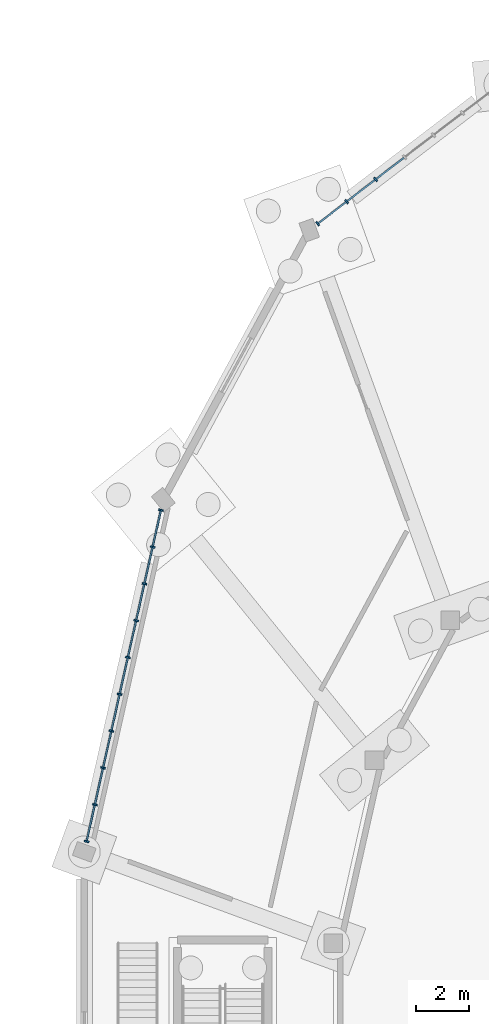
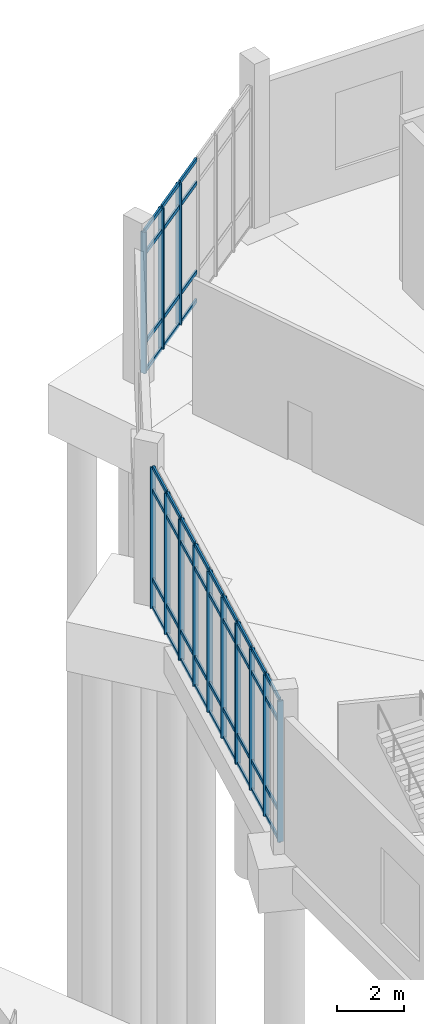
# One storey, part 48 of 140: 61 members, 2 elements without a shape of their own.
"""IFC4 building model written with IfcOpenShell, lengths in metres."""

from ifc_helpers import new_model, si_unit, direction, frame, origin, origin_2d, place, context, subcontext, project, spatial, rectangle, extrude, material, layer, layer_set, material_profile, profile_set, type_object, element, aggregate, save


model = new_model("IFC4")

# Units and contexts
model_context = context("Model", 3, precision=1e-05, world=origin(), true_north=direction((0.0, 1.0)))
body_context = subcontext(model_context, "Body", "Model", "MODEL_VIEW")
ifc_project = project(units=[si_unit("LENGTHUNIT", "METRE"), si_unit("AREAUNIT", "SQUARE_METRE"), si_unit("VOLUMEUNIT", "CUBIC_METRE"), si_unit("PLANEANGLEUNIT", "RADIAN"), si_unit("MASSUNIT", "GRAM", prefix="KILO")], contexts=[model_context])

# Site, building, storey
site_placement = place(None, origin())
site = spatial("IfcSite", under=ifc_project, at=site_placement, CompositionType="ELEMENT")
building_placement = place(site_placement, origin())
building = spatial("IfcBuilding", under=site, at=building_placement, Name="Corvandel Quay Wholesale Market", CompositionType="ELEMENT")
storey_placement = place(building_placement, origin())
storey = spatial("IfcBuildingStorey", under=building, at=storey_placement, Name="L00", CompositionType="ELEMENT", Elevation=0.0)

# Curtain wall, members
ifc_material_1 = material(Name="Bronze anodised aluminium and low-E insulated glazing", Category="aluminium")
ifc_layer_1 = layer(ifc_material_1, 0.162109375)
ifc_layer_set_1 = layer_set([ifc_layer_1], Name="Bronze anodised aluminium and low-E insulated glazing")
curtain_wall_type_1 = type_object("IfcCurtainWallType", Name="Stick Curtain Wall System CW06 H3540", PredefinedType="NOTDEFINED", material=ifc_layer_set_1)
curtain_wall_1_placement = place(storey_placement, origin())
curtain_wall_1 = element("IfcCurtainWall", 1, at=curtain_wall_1_placement, inside=storey, type_object=curtain_wall_type_1, Name="Curtain Wall CW-0133", PredefinedType="NOTDEFINED")
ifc_material_2 = material(Name="Anodised aluminium 6063-T6", Category="aluminium")
ifc_material_profile_1 = material_profile(ifc_material_2, rectangle(XDim=0.06494140625, YDim=0.179931640625, at=origin_2d()), Name="ALU-MUL-65x180")
ifc_profile_set_1 = profile_set([ifc_material_profile_1], Name="Anodised aluminium 6063-T6")
member_type_1 = type_object("IfcMemberType", Name="Curtain Wall Mullion ML01 65x180", PredefinedType="MULLION", material=ifc_profile_set_1)
member_1_placement = place(storey_placement, frame((185.948974609375, 92.427001953125, 0.0), z_axis=(0.0, 0.0, 1.0), x_axis=(0.794308601354, 0.607514481979, 0.0)))
member_1 = element("IfcMember", 2, at=member_1_placement, type_object=member_type_1, Name="Mullion CW-0133-M04", PredefinedType="MULLION", context=body_context, shape_type="SweptSolid", body=[
    extrude(rectangle(XDim=0.06494140625, YDim=0.179931640625, at=origin_2d()), origin(), (0.0, 0.0, 1.0), 5.14990234375),
])
member_2_placement = place(storey_placement, frame((184.8603515625, 91.594482421875, 0.0), z_axis=(0.0, 0.0, 1.0), x_axis=(0.794308601354, 0.607514481979, 0.0)))
member_2 = element("IfcMember", 3, at=member_2_placement, type_object=member_type_1, Name="Mullion CW-0133-M05", PredefinedType="MULLION", context=body_context, shape_type="SweptSolid", body=[
    extrude(rectangle(XDim=0.06494140625, YDim=0.179931640625, at=origin_2d()), origin(), (0.0, 0.0, 1.0), 5.14990234375),
])
member_3_placement = place(storey_placement, frame((183.771728515625, 90.761962890625, 0.0), z_axis=(0.0, 0.0, 1.0), x_axis=(0.794308601354, 0.607514481979, 0.0)))
member_3 = element("IfcMember", 4, at=member_3_placement, type_object=member_type_1, Name="Mullion CW-0133-M06", PredefinedType="MULLION", context=body_context, shape_type="SweptSolid", body=[
    extrude(rectangle(XDim=0.06494140625, YDim=0.179931640625, at=origin_2d()), origin(), (0.0, 0.0, 1.0), 5.14990234375),
])

ifc_layer_2 = layer(ifc_material_1, 0.18603515625)
ifc_layer_set_2 = layer_set([ifc_layer_2], Name="Bronze anodised aluminium and low-E insulated glazing")
curtain_wall_type_2 = type_object("IfcCurtainWallType", Name="Stick Curtain Wall System CW08 H3720", PredefinedType="NOTDEFINED", material=ifc_layer_set_2)
curtain_wall_2_placement = place(storey_placement, origin())
curtain_wall_2 = element("IfcCurtainWall", 5, at=curtain_wall_2_placement, inside=storey, type_object=curtain_wall_type_2, Name="Curtain Wall CW-0135", PredefinedType="NOTDEFINED")
member_4_placement = place(storey_placement, frame((177.88134765625, 80.001708984375, 0.0), z_axis=(0.0, 0.0, 1.0), x_axis=(0.218994806262, 0.975726024471, 0.0)))
member_4 = element("IfcMember", 6, at=member_4_placement, type_object=member_type_1, Name="Mullion CW-0135-M00", PredefinedType="MULLION", context=body_context, shape_type="SweptSolid", body=[
    extrude(rectangle(XDim=0.06494140625, YDim=0.179931640625, at=origin_2d()), origin(), (0.0, 0.0, 1.0), 5.14990234375),
])
member_5_placement = place(storey_placement, frame((177.571044921875, 78.618408203125, 0.0), z_axis=(0.0, 0.0, 1.0), x_axis=(0.218994806262, 0.975726024471, 0.0)))
member_5 = element("IfcMember", 7, at=member_5_placement, type_object=member_type_1, Name="Mullion CW-0135-M01", PredefinedType="MULLION", context=body_context, shape_type="SweptSolid", body=[
    extrude(rectangle(XDim=0.06494140625, YDim=0.179931640625, at=origin_2d()), origin(), (0.0, 0.0, 1.0), 5.14990234375),
])
member_6_placement = place(storey_placement, frame((177.260498046875, 77.23486328125, 0.0), z_axis=(0.0, 0.0, 1.0), x_axis=(0.218994806262, 0.975726024471, 0.0)))
member_6 = element("IfcMember", 8, at=member_6_placement, type_object=member_type_1, Name="Mullion CW-0135-M02", PredefinedType="MULLION", context=body_context, shape_type="SweptSolid", body=[
    extrude(rectangle(XDim=0.06494140625, YDim=0.179931640625, at=origin_2d()), origin(), (0.0, 0.0, 1.0), 5.14990234375),
])
member_7_placement = place(storey_placement, frame((176.9501953125, 75.8515625, 0.0), z_axis=(0.0, 0.0, 1.0), x_axis=(0.218994806262, 0.975726024471, 0.0)))
member_7 = element("IfcMember", 9, at=member_7_placement, type_object=member_type_1, Name="Mullion CW-0135-M03", PredefinedType="MULLION", context=body_context, shape_type="SweptSolid", body=[
    extrude(rectangle(XDim=0.06494140625, YDim=0.179931640625, at=origin_2d()), origin(), (0.0, 0.0, 1.0), 5.14990234375),
])
member_8_placement = place(storey_placement, frame((176.6396484375, 74.46826171875, 0.0), z_axis=(0.0, 0.0, 1.0), x_axis=(0.218994806262, 0.975726024471, 0.0)))
member_8 = element("IfcMember", 10, at=member_8_placement, type_object=member_type_1, Name="Mullion CW-0135-M04", PredefinedType="MULLION", context=body_context, shape_type="SweptSolid", body=[
    extrude(rectangle(XDim=0.06494140625, YDim=0.179931640625, at=origin_2d()), origin(), (0.0, 0.0, 1.0), 5.14990234375),
])
member_9_placement = place(storey_placement, frame((176.329345703125, 73.084716796875, 0.0), z_axis=(0.0, 0.0, 1.0), x_axis=(0.218994806262, 0.975726024471, 0.0)))
member_9 = element("IfcMember", 11, at=member_9_placement, type_object=member_type_1, Name="Mullion CW-0135-M05", PredefinedType="MULLION", context=body_context, shape_type="SweptSolid", body=[
    extrude(rectangle(XDim=0.06494140625, YDim=0.179931640625, at=origin_2d()), origin(), (0.0, 0.0, 1.0), 5.14990234375),
])
member_10_placement = place(storey_placement, frame((176.018798828125, 71.701416015625, 0.0), z_axis=(0.0, 0.0, 1.0), x_axis=(0.218994806262, 0.975726024471, 0.0)))
member_10 = element("IfcMember", 12, at=member_10_placement, type_object=member_type_1, Name="Mullion CW-0135-M06", PredefinedType="MULLION", context=body_context, shape_type="SweptSolid", body=[
    extrude(rectangle(XDim=0.06494140625, YDim=0.179931640625, at=origin_2d()), origin(), (0.0, 0.0, 1.0), 5.14990234375),
])
member_11_placement = place(storey_placement, frame((175.70849609375, 70.318115234375, 0.0), z_axis=(0.0, 0.0, 1.0), x_axis=(0.218994806262, 0.975726024471, 0.0)))
member_11 = element("IfcMember", 13, at=member_11_placement, type_object=member_type_1, Name="Mullion CW-0135-M07", PredefinedType="MULLION", context=body_context, shape_type="SweptSolid", body=[
    extrude(rectangle(XDim=0.06494140625, YDim=0.179931640625, at=origin_2d()), origin(), (0.0, 0.0, 1.0), 5.14990234375),
])
member_12_placement = place(storey_placement, frame((175.39794921875, 68.934814453125, 0.0), z_axis=(0.0, 0.0, 1.0), x_axis=(0.218994806262, 0.975726024471, 0.0)))
member_12 = element("IfcMember", 14, at=member_12_placement, type_object=member_type_1, Name="Mullion CW-0135-M08", PredefinedType="MULLION", context=body_context, shape_type="SweptSolid", body=[
    extrude(rectangle(XDim=0.06494140625, YDim=0.179931640625, at=origin_2d()), origin(), (0.0, 0.0, 1.0), 5.14990234375),
])
member_13_placement = place(storey_placement, frame((175.087646484375, 67.55126953125, 0.0), z_axis=(0.0, 0.0, 1.0), x_axis=(0.218994806262, 0.975726024471, 0.0)))
member_13 = element("IfcMember", 15, at=member_13_placement, type_object=member_type_1, Name="Mullion CW-0135-M09", PredefinedType="MULLION", context=body_context, shape_type="SweptSolid", body=[
    extrude(rectangle(XDim=0.06494140625, YDim=0.179931640625, at=origin_2d()), origin(), (0.0, 0.0, 1.0), 5.14990234375),
])

# Member
ifc_material_profile_2 = material_profile(ifc_material_2, rectangle(XDim=0.06494140625, YDim=0.139892578125, at=origin_2d()), Name="ALU-TRN-65x140")
ifc_profile_set_2 = profile_set([ifc_material_profile_2], Name="Anodised aluminium 6063-T6")
member_type_2 = type_object("IfcMemberType", Name="Curtain Wall Transom TR01 65x140", PredefinedType="USERDEFINED", material=ifc_profile_set_2)
member_14_placement = place(storey_placement, frame((187.01171875, 93.23974609375, 0.0), z_axis=(-0.794400295217, -0.607394576004, 0.0), x_axis=(0.607394576004, -0.794400295217, 0.0)))
member_14 = element("IfcMember", 16, at=member_14_placement, type_object=member_type_2, Name="Transom CW-0133-T03-0", ObjectType="TRANSOM", PredefinedType="USERDEFINED", context=body_context, shape_type="SweptSolid", body=[
    extrude(rectangle(XDim=0.06494140625, YDim=0.139892578125, at=origin_2d()), origin(), (0.0, 0.0, 1.0), 1.305419921875),
])

member_15_placement = place(storey_placement, frame((187.01171875, 93.23974609375, 1.050048828125), z_axis=(-0.794400295217, -0.607394576004, 0.0), x_axis=(0.607394576004, -0.794400295217, 0.0)))
member_15 = element("IfcMember", 17, at=member_15_placement, type_object=member_type_2, Name="Transom CW-0133-T03-1", ObjectType="TRANSOM", PredefinedType="USERDEFINED", context=body_context, shape_type="SweptSolid", body=[
    extrude(rectangle(XDim=0.06494140625, YDim=0.139892578125, at=origin_2d()), origin(), (0.0, 0.0, 1.0), 1.305419921875),
])

member_16_placement = place(storey_placement, frame((187.01171875, 93.23974609375, 4.300048828125), z_axis=(-0.794400295217, -0.607394576004, 0.0), x_axis=(0.607394576004, -0.794400295217, 0.0)))
member_16 = element("IfcMember", 18, at=member_16_placement, type_object=member_type_2, Name="Transom CW-0133-T03-2", ObjectType="TRANSOM", PredefinedType="USERDEFINED", context=body_context, shape_type="SweptSolid", body=[
    extrude(rectangle(XDim=0.06494140625, YDim=0.139892578125, at=origin_2d()), origin(), (0.0, 0.0, 1.0), 1.305419921875),
])

member_17_placement = place(storey_placement, frame((187.01171875, 93.23974609375, 5.14990234375), z_axis=(-0.794400295217, -0.607394576004, 0.0), x_axis=(0.607394576004, -0.794400295217, 0.0)))
member_17 = element("IfcMember", 19, at=member_17_placement, type_object=member_type_2, Name="Transom CW-0133-T03-3", ObjectType="TRANSOM", PredefinedType="USERDEFINED", context=body_context, shape_type="SweptSolid", body=[
    extrude(rectangle(XDim=0.06494140625, YDim=0.139892578125, at=origin_2d()), origin(), (0.0, 0.0, 1.0), 1.305419921875),
])

member_18_placement = place(storey_placement, frame((185.923095703125, 92.4072265625, 0.0), z_axis=(-0.794331288163, -0.607484818449, 0.0), x_axis=(0.607484818449, -0.794331288163, 0.0)))
member_18 = element("IfcMember", 20, at=member_18_placement, type_object=member_type_2, Name="Transom CW-0133-T04-0", ObjectType="TRANSOM", PredefinedType="USERDEFINED", context=body_context, shape_type="SweptSolid", body=[
    extrude(rectangle(XDim=0.06494140625, YDim=0.139892578125, at=origin_2d()), origin(), (0.0, 0.0, 1.0), 1.305419921875),
])

member_19_placement = place(storey_placement, frame((185.923095703125, 92.4072265625, 1.050048828125), z_axis=(-0.794331288163, -0.607484818449, 0.0), x_axis=(0.607484818449, -0.794331288163, 0.0)))
member_19 = element("IfcMember", 21, at=member_19_placement, type_object=member_type_2, Name="Transom CW-0133-T04-1", ObjectType="TRANSOM", PredefinedType="USERDEFINED", context=body_context, shape_type="SweptSolid", body=[
    extrude(rectangle(XDim=0.06494140625, YDim=0.139892578125, at=origin_2d()), origin(), (0.0, 0.0, 1.0), 1.305419921875),
])

member_20_placement = place(storey_placement, frame((185.923095703125, 92.4072265625, 4.300048828125), z_axis=(-0.794331288163, -0.607484818449, 0.0), x_axis=(0.607484818449, -0.794331288163, 0.0)))
member_20 = element("IfcMember", 22, at=member_20_placement, type_object=member_type_2, Name="Transom CW-0133-T04-2", ObjectType="TRANSOM", PredefinedType="USERDEFINED", context=body_context, shape_type="SweptSolid", body=[
    extrude(rectangle(XDim=0.06494140625, YDim=0.139892578125, at=origin_2d()), origin(), (0.0, 0.0, 1.0), 1.305419921875),
])

member_21_placement = place(storey_placement, frame((185.923095703125, 92.4072265625, 5.14990234375), z_axis=(-0.794331288163, -0.607484818449, 0.0), x_axis=(0.607484818449, -0.794331288163, 0.0)))
member_21 = element("IfcMember", 23, at=member_21_placement, type_object=member_type_2, Name="Transom CW-0133-T04-3", ObjectType="TRANSOM", PredefinedType="USERDEFINED", context=body_context, shape_type="SweptSolid", body=[
    extrude(rectangle(XDim=0.06494140625, YDim=0.139892578125, at=origin_2d()), origin(), (0.0, 0.0, 1.0), 1.305419921875),
])

member_22_placement = place(storey_placement, frame((184.834716796875, 91.57470703125, 0.0), z_axis=(-0.794310063744, -0.60751256994, 0.0), x_axis=(0.60751256994, -0.794310063744, 0.0)))
member_22 = element("IfcMember", 24, at=member_22_placement, type_object=member_type_2, Name="Transom CW-0133-T05-0", ObjectType="TRANSOM", PredefinedType="USERDEFINED", context=body_context, shape_type="SweptSolid", body=[
    extrude(rectangle(XDim=0.06494140625, YDim=0.139892578125, at=origin_2d()), origin(), (0.0, 0.0, 1.0), 1.3056640625),
])

member_23_placement = place(storey_placement, frame((184.834716796875, 91.57470703125, 1.050048828125), z_axis=(-0.794310063744, -0.60751256994, 0.0), x_axis=(0.60751256994, -0.794310063744, 0.0)))
member_23 = element("IfcMember", 25, at=member_23_placement, type_object=member_type_2, Name="Transom CW-0133-T05-1", ObjectType="TRANSOM", PredefinedType="USERDEFINED", context=body_context, shape_type="SweptSolid", body=[
    extrude(rectangle(XDim=0.06494140625, YDim=0.139892578125, at=origin_2d()), origin(), (0.0, 0.0, 1.0), 1.3056640625),
])

member_24_placement = place(storey_placement, frame((184.834716796875, 91.57470703125, 4.300048828125), z_axis=(-0.794310063744, -0.60751256994, 0.0), x_axis=(0.60751256994, -0.794310063744, 0.0)))
member_24 = element("IfcMember", 26, at=member_24_placement, type_object=member_type_2, Name="Transom CW-0133-T05-2", ObjectType="TRANSOM", PredefinedType="USERDEFINED", context=body_context, shape_type="SweptSolid", body=[
    extrude(rectangle(XDim=0.06494140625, YDim=0.139892578125, at=origin_2d()), origin(), (0.0, 0.0, 1.0), 1.3056640625),
])

member_25_placement = place(storey_placement, frame((184.834716796875, 91.57470703125, 5.14990234375), z_axis=(-0.794310063744, -0.60751256994, 0.0), x_axis=(0.60751256994, -0.794310063744, 0.0)))
member_25 = element("IfcMember", 27, at=member_25_placement, type_object=member_type_2, Name="Transom CW-0133-T05-3", ObjectType="TRANSOM", PredefinedType="USERDEFINED", context=body_context, shape_type="SweptSolid", body=[
    extrude(rectangle(XDim=0.06494140625, YDim=0.139892578125, at=origin_2d()), origin(), (0.0, 0.0, 1.0), 1.3056640625),
])

aggregate(curtain_wall_1, [member_1, member_2, member_3, member_14, member_15, member_16, member_17, member_18, member_19, member_20, member_21, member_22, member_23, member_24, member_25])

member_26_placement = place(storey_placement, frame((177.874267578125, 79.969970703125, 0.0), z_axis=(-0.2188980935, -0.975747725932, 0.0), x_axis=(0.975747725932, -0.2188980935, 0.0)))
member_26 = element("IfcMember", 28, at=member_26_placement, type_object=member_type_2, Name="Transom CW-0135-T00-0", ObjectType="TRANSOM", PredefinedType="USERDEFINED", context=body_context, shape_type="SweptSolid", body=[
    extrude(rectangle(XDim=0.06494140625, YDim=0.139892578125, at=origin_2d()), origin(), (0.0, 0.0, 1.0), 1.352783203125),
])

member_27_placement = place(storey_placement, frame((177.874267578125, 79.969970703125, 1.050048828125), z_axis=(-0.2188980935, -0.975747725932, 0.0), x_axis=(0.975747725932, -0.2188980935, 0.0)))
member_27 = element("IfcMember", 29, at=member_27_placement, type_object=member_type_2, Name="Transom CW-0135-T00-1", ObjectType="TRANSOM", PredefinedType="USERDEFINED", context=body_context, shape_type="SweptSolid", body=[
    extrude(rectangle(XDim=0.06494140625, YDim=0.139892578125, at=origin_2d()), origin(), (0.0, 0.0, 1.0), 1.352783203125),
])

member_28_placement = place(storey_placement, frame((177.874267578125, 79.969970703125, 4.300048828125), z_axis=(-0.2188980935, -0.975747725932, 0.0), x_axis=(0.975747725932, -0.2188980935, 0.0)))
member_28 = element("IfcMember", 30, at=member_28_placement, type_object=member_type_2, Name="Transom CW-0135-T00-2", ObjectType="TRANSOM", PredefinedType="USERDEFINED", context=body_context, shape_type="SweptSolid", body=[
    extrude(rectangle(XDim=0.06494140625, YDim=0.139892578125, at=origin_2d()), origin(), (0.0, 0.0, 1.0), 1.352783203125),
])

member_29_placement = place(storey_placement, frame((177.874267578125, 79.969970703125, 5.14990234375), z_axis=(-0.2188980935, -0.975747725932, 0.0), x_axis=(0.975747725932, -0.2188980935, 0.0)))
member_29 = element("IfcMember", 31, at=member_29_placement, type_object=member_type_2, Name="Transom CW-0135-T00-3", ObjectType="TRANSOM", PredefinedType="USERDEFINED", context=body_context, shape_type="SweptSolid", body=[
    extrude(rectangle(XDim=0.06494140625, YDim=0.139892578125, at=origin_2d()), origin(), (0.0, 0.0, 1.0), 1.352783203125),
])

member_30_placement = place(storey_placement, frame((177.56396484375, 78.586669921875, 0.0), z_axis=(-0.219069896418, -0.975709167982, 0.0), x_axis=(0.975709167982, -0.219069896418, 0.0)))
member_30 = element("IfcMember", 32, at=member_30_placement, type_object=member_type_2, Name="Transom CW-0135-T01-0", ObjectType="TRANSOM", PredefinedType="USERDEFINED", context=body_context, shape_type="SweptSolid", body=[
    extrude(rectangle(XDim=0.06494140625, YDim=0.139892578125, at=origin_2d()), origin(), (0.0, 0.0, 1.0), 1.35302734375),
])

member_31_placement = place(storey_placement, frame((177.56396484375, 78.586669921875, 1.050048828125), z_axis=(-0.219069896418, -0.975709167982, 0.0), x_axis=(0.975709167982, -0.219069896418, 0.0)))
member_31 = element("IfcMember", 33, at=member_31_placement, type_object=member_type_2, Name="Transom CW-0135-T01-1", ObjectType="TRANSOM", PredefinedType="USERDEFINED", context=body_context, shape_type="SweptSolid", body=[
    extrude(rectangle(XDim=0.06494140625, YDim=0.139892578125, at=origin_2d()), origin(), (0.0, 0.0, 1.0), 1.35302734375),
])

member_32_placement = place(storey_placement, frame((177.56396484375, 78.586669921875, 4.300048828125), z_axis=(-0.219069896418, -0.975709167982, 0.0), x_axis=(0.975709167982, -0.219069896418, 0.0)))
member_32 = element("IfcMember", 34, at=member_32_placement, type_object=member_type_2, Name="Transom CW-0135-T01-2", ObjectType="TRANSOM", PredefinedType="USERDEFINED", context=body_context, shape_type="SweptSolid", body=[
    extrude(rectangle(XDim=0.06494140625, YDim=0.139892578125, at=origin_2d()), origin(), (0.0, 0.0, 1.0), 1.35302734375),
])

member_33_placement = place(storey_placement, frame((177.56396484375, 78.586669921875, 5.14990234375), z_axis=(-0.219069896418, -0.975709167982, 0.0), x_axis=(0.975709167982, -0.219069896418, 0.0)))
member_33 = element("IfcMember", 35, at=member_33_placement, type_object=member_type_2, Name="Transom CW-0135-T01-3", ObjectType="TRANSOM", PredefinedType="USERDEFINED", context=body_context, shape_type="SweptSolid", body=[
    extrude(rectangle(XDim=0.06494140625, YDim=0.139892578125, at=origin_2d()), origin(), (0.0, 0.0, 1.0), 1.35302734375),
])

member_34_placement = place(storey_placement, frame((177.25341796875, 77.203125, 0.0), z_axis=(-0.218936644466, -0.975739076654, 0.0), x_axis=(0.975739076654, -0.218936644466, 0.0)))
member_34 = element("IfcMember", 36, at=member_34_placement, type_object=member_type_2, Name="Transom CW-0135-T02-0", ObjectType="TRANSOM", PredefinedType="USERDEFINED", context=body_context, shape_type="SweptSolid", body=[
    extrude(rectangle(XDim=0.06494140625, YDim=0.139892578125, at=origin_2d()), origin(), (0.0, 0.0, 1.0), 1.3525390625),
])

member_35_placement = place(storey_placement, frame((177.25341796875, 77.203125, 1.050048828125), z_axis=(-0.218936644466, -0.975739076654, 0.0), x_axis=(0.975739076654, -0.218936644466, 0.0)))
member_35 = element("IfcMember", 37, at=member_35_placement, type_object=member_type_2, Name="Transom CW-0135-T02-1", ObjectType="TRANSOM", PredefinedType="USERDEFINED", context=body_context, shape_type="SweptSolid", body=[
    extrude(rectangle(XDim=0.06494140625, YDim=0.139892578125, at=origin_2d()), origin(), (0.0, 0.0, 1.0), 1.3525390625),
])

member_36_placement = place(storey_placement, frame((177.25341796875, 77.203125, 4.300048828125), z_axis=(-0.218936644466, -0.975739076654, 0.0), x_axis=(0.975739076654, -0.218936644466, 0.0)))
member_36 = element("IfcMember", 38, at=member_36_placement, type_object=member_type_2, Name="Transom CW-0135-T02-2", ObjectType="TRANSOM", PredefinedType="USERDEFINED", context=body_context, shape_type="SweptSolid", body=[
    extrude(rectangle(XDim=0.06494140625, YDim=0.139892578125, at=origin_2d()), origin(), (0.0, 0.0, 1.0), 1.3525390625),
])

member_37_placement = place(storey_placement, frame((177.25341796875, 77.203125, 5.14990234375), z_axis=(-0.218936644466, -0.975739076654, 0.0), x_axis=(0.975739076654, -0.218936644466, 0.0)))
member_37 = element("IfcMember", 39, at=member_37_placement, type_object=member_type_2, Name="Transom CW-0135-T02-3", ObjectType="TRANSOM", PredefinedType="USERDEFINED", context=body_context, shape_type="SweptSolid", body=[
    extrude(rectangle(XDim=0.06494140625, YDim=0.139892578125, at=origin_2d()), origin(), (0.0, 0.0, 1.0), 1.3525390625),
])

member_38_placement = place(storey_placement, frame((176.943115234375, 75.81982421875, 0.0), z_axis=(-0.21910847459, -0.975700505464, 0.0), x_axis=(0.975700505464, -0.21910847459, 0.0)))
member_38 = element("IfcMember", 40, at=member_38_placement, type_object=member_type_2, Name="Transom CW-0135-T03-0", ObjectType="TRANSOM", PredefinedType="USERDEFINED", context=body_context, shape_type="SweptSolid", body=[
    extrude(rectangle(XDim=0.06494140625, YDim=0.139892578125, at=origin_2d()), origin(), (0.0, 0.0, 1.0), 1.352783203125),
])

member_39_placement = place(storey_placement, frame((176.943115234375, 75.81982421875, 1.050048828125), z_axis=(-0.21910847459, -0.975700505464, 0.0), x_axis=(0.975700505464, -0.21910847459, 0.0)))
member_39 = element("IfcMember", 41, at=member_39_placement, type_object=member_type_2, Name="Transom CW-0135-T03-1", ObjectType="TRANSOM", PredefinedType="USERDEFINED", context=body_context, shape_type="SweptSolid", body=[
    extrude(rectangle(XDim=0.06494140625, YDim=0.139892578125, at=origin_2d()), origin(), (0.0, 0.0, 1.0), 1.352783203125),
])

member_40_placement = place(storey_placement, frame((176.943115234375, 75.81982421875, 4.300048828125), z_axis=(-0.21910847459, -0.975700505464, 0.0), x_axis=(0.975700505464, -0.21910847459, 0.0)))
member_40 = element("IfcMember", 42, at=member_40_placement, type_object=member_type_2, Name="Transom CW-0135-T03-2", ObjectType="TRANSOM", PredefinedType="USERDEFINED", context=body_context, shape_type="SweptSolid", body=[
    extrude(rectangle(XDim=0.06494140625, YDim=0.139892578125, at=origin_2d()), origin(), (0.0, 0.0, 1.0), 1.352783203125),
])

member_41_placement = place(storey_placement, frame((176.943115234375, 75.81982421875, 5.14990234375), z_axis=(-0.21910847459, -0.975700505464, 0.0), x_axis=(0.975700505464, -0.21910847459, 0.0)))
member_41 = element("IfcMember", 43, at=member_41_placement, type_object=member_type_2, Name="Transom CW-0135-T03-3", ObjectType="TRANSOM", PredefinedType="USERDEFINED", context=body_context, shape_type="SweptSolid", body=[
    extrude(rectangle(XDim=0.06494140625, YDim=0.139892578125, at=origin_2d()), origin(), (0.0, 0.0, 1.0), 1.352783203125),
])

member_42_placement = place(storey_placement, frame((176.632568359375, 74.4365234375, 0.0), z_axis=(-0.2188980935, -0.975747725932, 0.0), x_axis=(0.975747725932, -0.2188980935, 0.0)))
member_42 = element("IfcMember", 44, at=member_42_placement, type_object=member_type_2, Name="Transom CW-0135-T04-0", ObjectType="TRANSOM", PredefinedType="USERDEFINED", context=body_context, shape_type="SweptSolid", body=[
    extrude(rectangle(XDim=0.06494140625, YDim=0.139892578125, at=origin_2d()), origin(), (0.0, 0.0, 1.0), 1.352783203125),
])

member_43_placement = place(storey_placement, frame((176.632568359375, 74.4365234375, 1.050048828125), z_axis=(-0.2188980935, -0.975747725932, 0.0), x_axis=(0.975747725932, -0.2188980935, 0.0)))
member_43 = element("IfcMember", 45, at=member_43_placement, type_object=member_type_2, Name="Transom CW-0135-T04-1", ObjectType="TRANSOM", PredefinedType="USERDEFINED", context=body_context, shape_type="SweptSolid", body=[
    extrude(rectangle(XDim=0.06494140625, YDim=0.139892578125, at=origin_2d()), origin(), (0.0, 0.0, 1.0), 1.352783203125),
])

member_44_placement = place(storey_placement, frame((176.632568359375, 74.4365234375, 4.300048828125), z_axis=(-0.2188980935, -0.975747725932, 0.0), x_axis=(0.975747725932, -0.2188980935, 0.0)))
member_44 = element("IfcMember", 46, at=member_44_placement, type_object=member_type_2, Name="Transom CW-0135-T04-2", ObjectType="TRANSOM", PredefinedType="USERDEFINED", context=body_context, shape_type="SweptSolid", body=[
    extrude(rectangle(XDim=0.06494140625, YDim=0.139892578125, at=origin_2d()), origin(), (0.0, 0.0, 1.0), 1.352783203125),
])

member_45_placement = place(storey_placement, frame((176.632568359375, 74.4365234375, 5.14990234375), z_axis=(-0.2188980935, -0.975747725932, 0.0), x_axis=(0.975747725932, -0.2188980935, 0.0)))
member_45 = element("IfcMember", 47, at=member_45_placement, type_object=member_type_2, Name="Transom CW-0135-T04-3", ObjectType="TRANSOM", PredefinedType="USERDEFINED", context=body_context, shape_type="SweptSolid", body=[
    extrude(rectangle(XDim=0.06494140625, YDim=0.139892578125, at=origin_2d()), origin(), (0.0, 0.0, 1.0), 1.352783203125),
])

member_46_placement = place(storey_placement, frame((176.322265625, 73.052978515625, 0.0), z_axis=(-0.21910847459, -0.975700505464, 0.0), x_axis=(0.975700505464, -0.21910847459, 0.0)))
member_46 = element("IfcMember", 48, at=member_46_placement, type_object=member_type_2, Name="Transom CW-0135-T05-0", ObjectType="TRANSOM", PredefinedType="USERDEFINED", context=body_context, shape_type="SweptSolid", body=[
    extrude(rectangle(XDim=0.06494140625, YDim=0.139892578125, at=origin_2d()), origin(), (0.0, 0.0, 1.0), 1.352783203125),
])

member_47_placement = place(storey_placement, frame((176.322265625, 73.052978515625, 1.050048828125), z_axis=(-0.21910847459, -0.975700505464, 0.0), x_axis=(0.975700505464, -0.21910847459, 0.0)))
member_47 = element("IfcMember", 49, at=member_47_placement, type_object=member_type_2, Name="Transom CW-0135-T05-1", ObjectType="TRANSOM", PredefinedType="USERDEFINED", context=body_context, shape_type="SweptSolid", body=[
    extrude(rectangle(XDim=0.06494140625, YDim=0.139892578125, at=origin_2d()), origin(), (0.0, 0.0, 1.0), 1.352783203125),
])

member_48_placement = place(storey_placement, frame((176.322265625, 73.052978515625, 4.300048828125), z_axis=(-0.21910847459, -0.975700505464, 0.0), x_axis=(0.975700505464, -0.21910847459, 0.0)))
member_48 = element("IfcMember", 50, at=member_48_placement, type_object=member_type_2, Name="Transom CW-0135-T05-2", ObjectType="TRANSOM", PredefinedType="USERDEFINED", context=body_context, shape_type="SweptSolid", body=[
    extrude(rectangle(XDim=0.06494140625, YDim=0.139892578125, at=origin_2d()), origin(), (0.0, 0.0, 1.0), 1.352783203125),
])

member_49_placement = place(storey_placement, frame((176.322265625, 73.052978515625, 5.14990234375), z_axis=(-0.21910847459, -0.975700505464, 0.0), x_axis=(0.975700505464, -0.21910847459, 0.0)))
member_49 = element("IfcMember", 51, at=member_49_placement, type_object=member_type_2, Name="Transom CW-0135-T05-3", ObjectType="TRANSOM", PredefinedType="USERDEFINED", context=body_context, shape_type="SweptSolid", body=[
    extrude(rectangle(XDim=0.06494140625, YDim=0.139892578125, at=origin_2d()), origin(), (0.0, 0.0, 1.0), 1.352783203125),
])

member_50_placement = place(storey_placement, frame((176.01171875, 71.669677734375, 0.0), z_axis=(-0.218936644466, -0.975739076654, 0.0), x_axis=(0.975739076654, -0.218936644466, 0.0)))
member_50 = element("IfcMember", 52, at=member_50_placement, type_object=member_type_2, Name="Transom CW-0135-T06-0", ObjectType="TRANSOM", PredefinedType="USERDEFINED", context=body_context, shape_type="SweptSolid", body=[
    extrude(rectangle(XDim=0.06494140625, YDim=0.139892578125, at=origin_2d()), origin(), (0.0, 0.0, 1.0), 1.3525390625),
])

member_51_placement = place(storey_placement, frame((176.01171875, 71.669677734375, 1.050048828125), z_axis=(-0.218936644466, -0.975739076654, 0.0), x_axis=(0.975739076654, -0.218936644466, 0.0)))
member_51 = element("IfcMember", 53, at=member_51_placement, type_object=member_type_2, Name="Transom CW-0135-T06-1", ObjectType="TRANSOM", PredefinedType="USERDEFINED", context=body_context, shape_type="SweptSolid", body=[
    extrude(rectangle(XDim=0.06494140625, YDim=0.139892578125, at=origin_2d()), origin(), (0.0, 0.0, 1.0), 1.3525390625),
])

member_52_placement = place(storey_placement, frame((176.01171875, 71.669677734375, 4.300048828125), z_axis=(-0.218936644466, -0.975739076654, 0.0), x_axis=(0.975739076654, -0.218936644466, 0.0)))
member_52 = element("IfcMember", 54, at=member_52_placement, type_object=member_type_2, Name="Transom CW-0135-T06-2", ObjectType="TRANSOM", PredefinedType="USERDEFINED", context=body_context, shape_type="SweptSolid", body=[
    extrude(rectangle(XDim=0.06494140625, YDim=0.139892578125, at=origin_2d()), origin(), (0.0, 0.0, 1.0), 1.3525390625),
])

member_53_placement = place(storey_placement, frame((176.01171875, 71.669677734375, 5.14990234375), z_axis=(-0.218936644466, -0.975739076654, 0.0), x_axis=(0.975739076654, -0.218936644466, 0.0)))
member_53 = element("IfcMember", 55, at=member_53_placement, type_object=member_type_2, Name="Transom CW-0135-T06-3", ObjectType="TRANSOM", PredefinedType="USERDEFINED", context=body_context, shape_type="SweptSolid", body=[
    extrude(rectangle(XDim=0.06494140625, YDim=0.139892578125, at=origin_2d()), origin(), (0.0, 0.0, 1.0), 1.3525390625),
])

member_54_placement = place(storey_placement, frame((175.701416015625, 70.286376953125, 0.0), z_axis=(-0.219069896418, -0.975709167982, 0.0), x_axis=(0.975709167982, -0.219069896418, 0.0)))
member_54 = element("IfcMember", 56, at=member_54_placement, type_object=member_type_2, Name="Transom CW-0135-T07-0", ObjectType="TRANSOM", PredefinedType="USERDEFINED", context=body_context, shape_type="SweptSolid", body=[
    extrude(rectangle(XDim=0.06494140625, YDim=0.139892578125, at=origin_2d()), origin(), (0.0, 0.0, 1.0), 1.35302734375),
])

member_55_placement = place(storey_placement, frame((175.701416015625, 70.286376953125, 1.050048828125), z_axis=(-0.219069896418, -0.975709167982, 0.0), x_axis=(0.975709167982, -0.219069896418, 0.0)))
member_55 = element("IfcMember", 57, at=member_55_placement, type_object=member_type_2, Name="Transom CW-0135-T07-1", ObjectType="TRANSOM", PredefinedType="USERDEFINED", context=body_context, shape_type="SweptSolid", body=[
    extrude(rectangle(XDim=0.06494140625, YDim=0.139892578125, at=origin_2d()), origin(), (0.0, 0.0, 1.0), 1.35302734375),
])

member_56_placement = place(storey_placement, frame((175.701416015625, 70.286376953125, 4.300048828125), z_axis=(-0.219069896418, -0.975709167982, 0.0), x_axis=(0.975709167982, -0.219069896418, 0.0)))
member_56 = element("IfcMember", 58, at=member_56_placement, type_object=member_type_2, Name="Transom CW-0135-T07-2", ObjectType="TRANSOM", PredefinedType="USERDEFINED", context=body_context, shape_type="SweptSolid", body=[
    extrude(rectangle(XDim=0.06494140625, YDim=0.139892578125, at=origin_2d()), origin(), (0.0, 0.0, 1.0), 1.35302734375),
])

member_57_placement = place(storey_placement, frame((175.701416015625, 70.286376953125, 5.14990234375), z_axis=(-0.219069896418, -0.975709167982, 0.0), x_axis=(0.975709167982, -0.219069896418, 0.0)))
member_57 = element("IfcMember", 59, at=member_57_placement, type_object=member_type_2, Name="Transom CW-0135-T07-3", ObjectType="TRANSOM", PredefinedType="USERDEFINED", context=body_context, shape_type="SweptSolid", body=[
    extrude(rectangle(XDim=0.06494140625, YDim=0.139892578125, at=origin_2d()), origin(), (0.0, 0.0, 1.0), 1.35302734375),
])

member_58_placement = place(storey_placement, frame((175.390869140625, 68.903076171875, 0.0), z_axis=(-0.2188980935, -0.975747725932, 0.0), x_axis=(0.975747725932, -0.2188980935, 0.0)))
member_58 = element("IfcMember", 60, at=member_58_placement, type_object=member_type_2, Name="Transom CW-0135-T08-0", ObjectType="TRANSOM", PredefinedType="USERDEFINED", context=body_context, shape_type="SweptSolid", body=[
    extrude(rectangle(XDim=0.06494140625, YDim=0.139892578125, at=origin_2d()), origin(), (0.0, 0.0, 1.0), 1.352783203125),
])

member_59_placement = place(storey_placement, frame((175.390869140625, 68.903076171875, 1.050048828125), z_axis=(-0.2188980935, -0.975747725932, 0.0), x_axis=(0.975747725932, -0.2188980935, 0.0)))
member_59 = element("IfcMember", 61, at=member_59_placement, type_object=member_type_2, Name="Transom CW-0135-T08-1", ObjectType="TRANSOM", PredefinedType="USERDEFINED", context=body_context, shape_type="SweptSolid", body=[
    extrude(rectangle(XDim=0.06494140625, YDim=0.139892578125, at=origin_2d()), origin(), (0.0, 0.0, 1.0), 1.352783203125),
])

member_60_placement = place(storey_placement, frame((175.390869140625, 68.903076171875, 4.300048828125), z_axis=(-0.2188980935, -0.975747725932, 0.0), x_axis=(0.975747725932, -0.2188980935, 0.0)))
member_60 = element("IfcMember", 62, at=member_60_placement, type_object=member_type_2, Name="Transom CW-0135-T08-2", ObjectType="TRANSOM", PredefinedType="USERDEFINED", context=body_context, shape_type="SweptSolid", body=[
    extrude(rectangle(XDim=0.06494140625, YDim=0.139892578125, at=origin_2d()), origin(), (0.0, 0.0, 1.0), 1.352783203125),
])

member_61_placement = place(storey_placement, frame((175.390869140625, 68.903076171875, 5.14990234375), z_axis=(-0.2188980935, -0.975747725932, 0.0), x_axis=(0.975747725932, -0.2188980935, 0.0)))
member_61 = element("IfcMember", 63, at=member_61_placement, type_object=member_type_2, Name="Transom CW-0135-T08-3", ObjectType="TRANSOM", PredefinedType="USERDEFINED", context=body_context, shape_type="SweptSolid", body=[
    extrude(rectangle(XDim=0.06494140625, YDim=0.139892578125, at=origin_2d()), origin(), (0.0, 0.0, 1.0), 1.352783203125),
])

aggregate(curtain_wall_2, [member_4, member_5, member_6, member_7, member_8, member_9, member_10, member_11, member_12, member_13, member_26, member_27, member_28, member_29, member_30, member_31, member_32, member_33, member_34, member_35, member_36, member_37, member_38, member_39, member_40, member_41, member_42, member_43, member_44, member_45, member_46, member_47, member_48, member_49, member_50, member_51, member_52, member_53, member_54, member_55, member_56, member_57, member_58, member_59, member_60, member_61])

save(model, "model.ifc")
